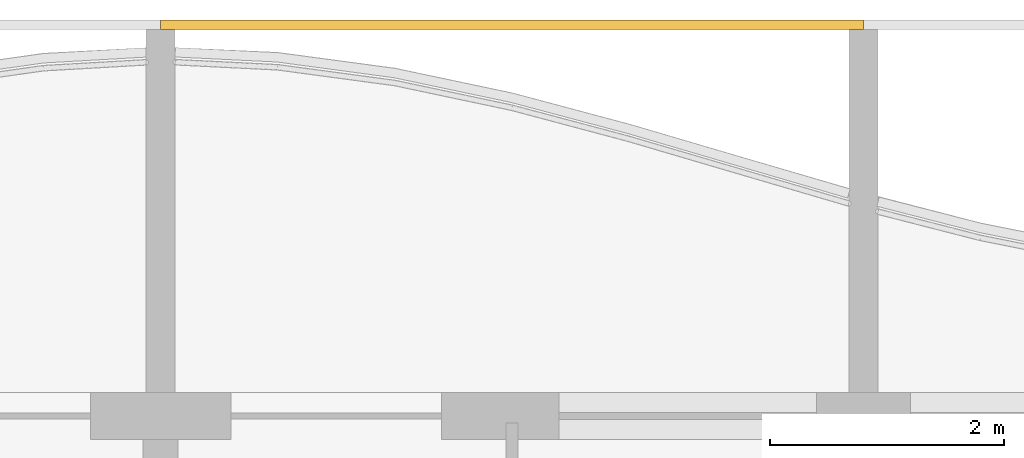
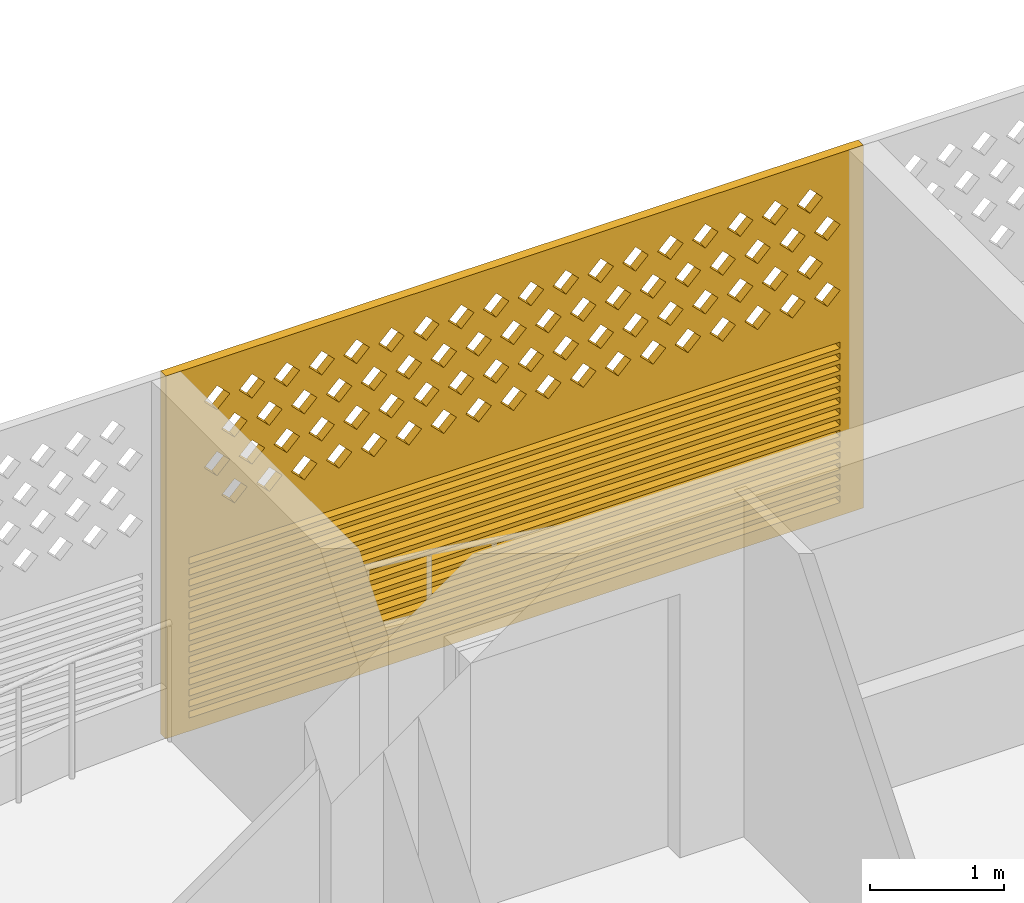
# One storey, part 29 of 31: 1 covering.
"""IFC4 building model written with IfcOpenShell, lengths in metres."""

import ifcopenshell
import ifcopenshell.guid

model = None  # the IFC model being written
_history = None  # IfcOwnerHistory: only IFC2X3 demands one
_inside = {}  # id of a spatial element -> (the spatial element, [elements in it])
_under = {}  # id of a project, library or spatial element -> (it, [spatial elements below it])
_declared = {}  # id of a project -> (the project, [libraries it declares])
_typed = {}  # id of a type object -> (the type object, [elements of that type])
_made_of = {}  # id of a material, layer set ... -> (it, [elements and type objects made of it])


def new_model(schema):
    """Start an empty IFC model of exactly this schema.

    Asked for "IFC4X3", IfcOpenShell would pick the latest addendum, in which some entities
    have other attributes; the version numbers below select the first issue.
    IFC2X3 requires an IfcOwnerHistory on every rooted entity: one is made here for all.
    """
    global model, _history
    if schema == "IFC4X3":
        model = ifcopenshell.file(schema_version=(4, 3, 0, 0))
    else:
        model = ifcopenshell.file(schema=schema)
    _inside.clear()
    _under.clear()
    _declared.clear()
    _typed.clear()
    _made_of.clear()
    _history = None
    if model.schema == "IFC2X3":
        org = make("IfcOrganization", Name="unknown")
        user = make(
            "IfcPersonAndOrganization",
            ThePerson=make("IfcPerson", FamilyName="unknown"),
            TheOrganization=org,
        )
        app = make(
            "IfcApplication",
            ApplicationDeveloper=org,
            Version="unknown",
            ApplicationFullName="unknown",
            ApplicationIdentifier="unknown",
        )
        _history = make(
            "IfcOwnerHistory",
            OwningUser=user,
            OwningApplication=app,
            ChangeAction="ADDED",
            CreationDate=0,
        )
    return model


def make(cls, **values):
    """One entity of the class cls with the attributes given. An attribute that is None is left unset."""
    return model.create_entity(
        cls, **{name: value for name, value in values.items() if value is not None}
    )


def rooted(cls, **values):
    """An entity with a GlobalId (a new one), such as an element, a storey or a relation."""
    return make(cls, GlobalId=ifcopenshell.guid.new(), OwnerHistory=_history, **values)


def si_unit(unit_type, name, prefix=None):
    """IfcSIUnit, for example si_unit("LENGTHUNIT", "METRE", prefix="MILLI")."""
    return make("IfcSIUnit", UnitType=unit_type, Prefix=prefix, Name=name)


def assignment(units):
    """IfcUnitAssignment: the units of a project."""
    return None if units is None else make("IfcUnitAssignment", Units=units)


def point(xyz):
    """IfcCartesianPoint."""
    return None if xyz is None else make("IfcCartesianPoint", Coordinates=xyz)


def direction(xyz):
    """IfcDirection."""
    return None if xyz is None else make("IfcDirection", DirectionRatios=xyz)


def frame(location, z_axis=None, x_axis=None):
    """IfcAxis2Placement3D, a coordinate frame: its origin and axes. An axis left out is left unset."""
    return make(
        "IfcAxis2Placement3D",
        Location=point(location),
        Axis=direction(z_axis),
        RefDirection=direction(x_axis),
    )


def origin():
    """The frame at (0, 0, 0) with its axes left unset."""
    return frame((0.0, 0.0, 0.0))


def place(relative_to, where):
    """IfcLocalPlacement: puts the frame where relative to a parent placement (None: the world)."""
    return make(
        "IfcLocalPlacement", PlacementRelTo=relative_to, RelativePlacement=where
    )


def context(
    kind, dimensions, precision=None, world=None, true_north=None, identifier=None
):
    """IfcGeometricRepresentationContext, for example the 3D "Model" context."""
    return make(
        "IfcGeometricRepresentationContext",
        ContextIdentifier=identifier,
        ContextType=kind,
        CoordinateSpaceDimension=dimensions,
        Precision=precision,
        WorldCoordinateSystem=world,
        TrueNorth=true_north,
    )


def subcontext(parent, identifier, kind, view, scale=None):
    """IfcGeometricRepresentationSubContext, for example "Body" below "Model"."""
    return make(
        "IfcGeometricRepresentationSubContext",
        ContextIdentifier=identifier,
        ContextType=kind,
        ParentContext=parent,
        TargetScale=scale,
        TargetView=view,
    )


def project(units=None, contexts=None):
    """IfcProject with its units and contexts."""
    return rooted(
        "IfcProject",
        Name="project",
        RepresentationContexts=contexts,
        UnitsInContext=assignment(units),
    )


def spatial(cls, under=None, at=None, **own):
    """A site, building, storey or space (cls), placed at a placement, below another one or the project."""
    s = rooted(cls, ObjectPlacement=at, **own)
    if under is not None:
        _under.setdefault(under.id(), (under, []))[1].append(s)
    return s


def polyline(points):
    """IfcPolyline through the points."""
    return make("IfcPolyline", Points=[point(p) for p in points])


def outline(outer, holes=None, kind="AREA"):
    """IfcArbitraryClosedProfileDef: a profile drawn as a closed curve; with holes, ...WithVoids."""
    if holes is None:
        return make("IfcArbitraryClosedProfileDef", ProfileType=kind, OuterCurve=outer)
    return make(
        "IfcArbitraryProfileDefWithVoids",
        ProfileType=kind,
        OuterCurve=outer,
        InnerCurves=holes,
    )


def extrude(swept, where, along, depth):
    """IfcExtrudedAreaSolid: the profile swept, set in the frame where, extruded along a direction by depth."""
    return make(
        "IfcExtrudedAreaSolid",
        SweptArea=swept,
        Position=where,
        ExtrudedDirection=direction(along),
        Depth=depth,
    )


def shape(context_of_items, identifier, shape_type, items):
    """IfcShapeRepresentation: the items that make up one representation, for example the "Body"."""
    return make(
        "IfcShapeRepresentation",
        ContextOfItems=context_of_items,
        RepresentationIdentifier=identifier,
        RepresentationType=shape_type,
        Items=items,
    )


def source(mapping_origin, context_of_items, identifier, shape_type, items):
    """IfcRepresentationMap: a shape defined once, which mapped items show again and again."""
    return make(
        "IfcRepresentationMap",
        MappingOrigin=mapping_origin,
        MappedRepresentation=shape(context_of_items, identifier, shape_type, items),
    )


def transform(
    local_origin,
    x_axis=None,
    y_axis=None,
    z_axis=None,
    scale=None,
    scale2=None,
    scale3=None,
    uniform=True,
):
    """IfcCartesianTransformationOperator3D, or its non-uniform kind. x_axis, y_axis, z_axis: its Axis1, 2, 3."""
    if uniform:
        return make(
            "IfcCartesianTransformationOperator3D",
            Axis1=direction(x_axis),
            Axis2=direction(y_axis),
            LocalOrigin=point(local_origin),
            Scale=scale,
            Axis3=direction(z_axis),
        )
    return make(
        "IfcCartesianTransformationOperator3DnonUniform",
        Axis1=direction(x_axis),
        Axis2=direction(y_axis),
        LocalOrigin=point(local_origin),
        Scale=scale,
        Axis3=direction(z_axis),
        Scale2=scale2,
        Scale3=scale3,
    )


def mapped(mapping_source, mapping_target):
    """IfcMappedItem: shows the shape of a source again, moved by a transform."""
    return make(
        "IfcMappedItem", MappingSource=mapping_source, MappingTarget=mapping_target
    )


def material(Name=None, Category=None):
    """IfcMaterial."""
    return make("IfcMaterial", Name=Name, Category=Category)


def material_profile(
    of_material, cross_section, Name=None, Category=None, Priority=None
):
    """IfcMaterialProfile: a cross section and its material."""
    return make(
        "IfcMaterialProfile",
        Name=Name,
        Material=of_material,
        Profile=cross_section,
        Priority=Priority,
        Category=Category,
    )


def profile_set(profiles, Name=None, composite=None):
    """IfcMaterialProfileSet."""
    return make(
        "IfcMaterialProfileSet",
        Name=Name,
        MaterialProfiles=profiles,
        CompositeProfile=composite,
    )


def made_of(thing, what):
    """Note that an element or type object is made of a material, layer set ...; save() writes the relation."""
    if what is not None:
        _made_of.setdefault(what.id(), (what, []))[1].append(thing)
    return thing


def type_object(cls, material=None, **own):
    """A type object (cls), such as IfcWallType, which elements share."""
    return made_of(rooted(cls, **own), material)


def element(
    cls,
    number,
    at=None,
    inside=None,
    cuts=None,
    type_object=None,
    material=None,
    context=None,
    identifier="Body",
    shape_type=None,
    held_by="IfcProductDefinitionShape",
    body=None,
    shapes=None,
    **own,
):
    """One element of the class cls, such as IfcWall. Its Tag is "e" and its number.

    at: its placement. inside: the storey or other place that contains it. cuts: it is an
    opening in that element (IfcRelVoidsElement). A single representation is given by context,
    identifier, shape_type and body (its items); several are given by shapes. held_by: the class
    of the entity that holds the representations. save() writes the other relations.
    """
    e = rooted(cls, Tag="e%d" % number, ObjectPlacement=at, **own)
    if body is not None:
        shapes = [shape(context, identifier, shape_type, body)]
    if shapes is not None:
        e.Representation = make(held_by, Representations=shapes)
    if inside is not None:
        _inside.setdefault(inside.id(), (inside, []))[1].append(e)
    if cuts is not None:
        rooted(
            "IfcRelVoidsElement", RelatingBuildingElement=cuts, RelatedOpeningElement=e
        )
    if type_object is not None:
        _typed.setdefault(type_object.id(), (type_object, []))[1].append(e)
    return made_of(e, material)


def aggregate(whole, parts):
    """IfcRelAggregates: a whole, such as a stair, and the parts it consists of."""
    return rooted("IfcRelAggregates", RelatingObject=whole, RelatedObjects=parts)


def save(model, path):
    """Write the relations noted so far, then the file.

    IfcRelAggregates (storeys below a building ...), IfcRelContainedInSpatialStructure (elements
    in a storey), IfcRelDefinesByType, IfcRelAssociatesMaterial and IfcRelDeclares: one each for
    every whole, place, type object, material and project.
    """
    for whole, parts in _under.values():
        aggregate(whole, parts)
    for where, things in _inside.values():
        rooted(
            "IfcRelContainedInSpatialStructure",
            RelatedElements=things,
            RelatingStructure=where,
        )
    for kind, things in _typed.values():
        rooted("IfcRelDefinesByType", RelatedObjects=things, RelatingType=kind)
    for what, things in _made_of.values():
        rooted("IfcRelAssociatesMaterial", RelatedObjects=things, RelatingMaterial=what)
    for by, libraries in _declared.values():
        rooted("IfcRelDeclares", RelatingContext=by, RelatedDefinitions=libraries)
    model.write(path)


model = new_model("IFC4")

# Units and contexts
model_context = context("Model", 3, precision=1e-05, world=origin(), true_north=direction((0.0, 1.0)))
body_context = subcontext(model_context, "Body", "Model", "MODEL_VIEW")
ifc_project = project(units=[si_unit("LENGTHUNIT", "METRE"), si_unit("AREAUNIT", "SQUARE_METRE"), si_unit("VOLUMEUNIT", "CUBIC_METRE"), si_unit("PLANEANGLEUNIT", "RADIAN"), si_unit("MASSUNIT", "GRAM", prefix="KILO")], contexts=[model_context])

# Site, building, storey
site_placement = place(None, origin())
site = spatial("IfcSite", under=ifc_project, at=site_placement, CompositionType="ELEMENT")
building_placement = place(site_placement, origin())
building = spatial("IfcBuilding", under=site, at=building_placement, Name="Poui Terraces", CompositionType="ELEMENT")
storey_placement = place(building_placement, frame((0.0, 0.0, 148.800048828125)))
storey = spatial("IfcBuildingStorey", under=building, at=storey_placement, Name="L41", CompositionType="ELEMENT", Elevation=148.800048828125)

# Covering
ifc_material = material(Name="Terracotta screen", Category="masonry")
ifc_material_profile = material_profile(ifc_material, outline(polyline([(-3.0, -1.64990234375), (3.0, -1.64990234375), (3.0, 1.64990234375), (-3.0, 1.64990234375), (-3.0, -1.64990234375)]), holes=[polyline([(-2.800048828125, 0.39990234375), (-2.68994140625, 0.2900390625), (-2.580078125, 0.39990234375), (-2.68994140625, 0.510009765625), (-2.800048828125, 0.39990234375)]), polyline([(-2.5, 0.39990234375), (-2.389892578125, 0.2900390625), (-2.280029296875, 0.39990234375), (-2.389892578125, 0.510009765625), (-2.5, 0.39990234375)]), polyline([(-2.199951171875, 0.39990234375), (-2.090087890625, 0.2900390625), (-1.97998046875, 0.39990234375), (-2.090087890625, 0.510009765625), (-2.199951171875, 0.39990234375)]), polyline([(-1.89990234375, 0.39990234375), (-1.7900390625, 0.2900390625), (-1.679931640625, 0.39990234375), (-1.7900390625, 0.510009765625), (-1.89990234375, 0.39990234375)]), polyline([(-1.60009765625, 0.39990234375), (-1.489990234375, 0.2900390625), (-1.3798828125, 0.39990234375), (-1.489990234375, 0.510009765625), (-1.60009765625, 0.39990234375)]), polyline([(-1.300048828125, 0.39990234375), (-1.18994140625, 0.2900390625), (-1.080078125, 0.39990234375), (-1.18994140625, 0.510009765625), (-1.300048828125, 0.39990234375)]), polyline([(-1.0, 0.39990234375), (-0.889892578125, 0.2900390625), (-0.780029296875, 0.39990234375), (-0.889892578125, 0.510009765625), (-1.0, 0.39990234375)]), polyline([(-0.699951171875, 0.39990234375), (-0.590087890625, 0.2900390625), (-0.47998046875, 0.39990234375), (-0.590087890625, 0.510009765625), (-0.699951171875, 0.39990234375)]), polyline([(-0.39990234375, 0.39990234375), (-0.2900390625, 0.2900390625), (-0.179931640625, 0.39990234375), (-0.2900390625, 0.510009765625), (-0.39990234375, 0.39990234375)]), polyline([(-0.10009765625, 0.39990234375), (0.010009765625, 0.2900390625), (0.1201171875, 0.39990234375), (0.010009765625, 0.510009765625), (-0.10009765625, 0.39990234375)]), polyline([(0.199951171875, 0.39990234375), (0.31005859375, 0.2900390625), (0.419921875, 0.39990234375), (0.31005859375, 0.510009765625), (0.199951171875, 0.39990234375)]), polyline([(0.5, 0.39990234375), (0.610107421875, 0.2900390625), (0.719970703125, 0.39990234375), (0.610107421875, 0.510009765625), (0.5, 0.39990234375)]), polyline([(0.800048828125, 0.39990234375), (0.909912109375, 0.2900390625), (1.02001953125, 0.39990234375), (0.909912109375, 0.510009765625), (0.800048828125, 0.39990234375)]), polyline([(1.10009765625, 0.39990234375), (1.2099609375, 0.2900390625), (1.320068359375, 0.39990234375), (1.2099609375, 0.510009765625), (1.10009765625, 0.39990234375)]), polyline([(1.39990234375, 0.39990234375), (1.510009765625, 0.2900390625), (1.6201171875, 0.39990234375), (1.510009765625, 0.510009765625), (1.39990234375, 0.39990234375)]), polyline([(1.699951171875, 0.39990234375), (1.81005859375, 0.2900390625), (1.919921875, 0.39990234375), (1.81005859375, 0.510009765625), (1.699951171875, 0.39990234375)]), polyline([(2.0, 0.39990234375), (2.110107421875, 0.2900390625), (2.219970703125, 0.39990234375), (2.110107421875, 0.510009765625), (2.0, 0.39990234375)]), polyline([(2.300048828125, 0.39990234375), (2.409912109375, 0.2900390625), (2.52001953125, 0.39990234375), (2.409912109375, 0.510009765625), (2.300048828125, 0.39990234375)]), polyline([(-2.64990234375, 0.699951171875), (-2.5400390625, 0.590087890625), (-2.429931640625, 0.699951171875), (-2.5400390625, 0.81005859375), (-2.64990234375, 0.699951171875)]), polyline([(-2.35009765625, 0.699951171875), (-2.239990234375, 0.590087890625), (-2.1298828125, 0.699951171875), (-2.239990234375, 0.81005859375), (-2.35009765625, 0.699951171875)]), polyline([(-2.050048828125, 0.699951171875), (-1.93994140625, 0.590087890625), (-1.830078125, 0.699951171875), (-1.93994140625, 0.81005859375), (-2.050048828125, 0.699951171875)]), polyline([(-1.75, 0.699951171875), (-1.639892578125, 0.590087890625), (-1.530029296875, 0.699951171875), (-1.639892578125, 0.81005859375), (-1.75, 0.699951171875)]), polyline([(-1.449951171875, 0.699951171875), (-1.340087890625, 0.590087890625), (-1.22998046875, 0.699951171875), (-1.340087890625, 0.81005859375), (-1.449951171875, 0.699951171875)]), polyline([(-1.14990234375, 0.699951171875), (-1.0400390625, 0.590087890625), (-0.929931640625, 0.699951171875), (-1.0400390625, 0.81005859375), (-1.14990234375, 0.699951171875)]), polyline([(-0.85009765625, 0.699951171875), (-0.739990234375, 0.590087890625), (-0.6298828125, 0.699951171875), (-0.739990234375, 0.81005859375), (-0.85009765625, 0.699951171875)]), polyline([(-0.550048828125, 0.699951171875), (-0.43994140625, 0.590087890625), (-0.330078125, 0.699951171875), (-0.43994140625, 0.81005859375), (-0.550048828125, 0.699951171875)]), polyline([(-0.25, 0.699951171875), (-0.139892578125, 0.590087890625), (-0.030029296875, 0.699951171875), (-0.139892578125, 0.81005859375), (-0.25, 0.699951171875)]), polyline([(0.050048828125, 0.699951171875), (0.159912109375, 0.590087890625), (0.27001953125, 0.699951171875), (0.159912109375, 0.81005859375), (0.050048828125, 0.699951171875)]), polyline([(0.35009765625, 0.699951171875), (0.4599609375, 0.590087890625), (0.570068359375, 0.699951171875), (0.4599609375, 0.81005859375), (0.35009765625, 0.699951171875)]), polyline([(0.64990234375, 0.699951171875), (0.760009765625, 0.590087890625), (0.8701171875, 0.699951171875), (0.760009765625, 0.81005859375), (0.64990234375, 0.699951171875)]), polyline([(0.949951171875, 0.699951171875), (1.06005859375, 0.590087890625), (1.169921875, 0.699951171875), (1.06005859375, 0.81005859375), (0.949951171875, 0.699951171875)]), polyline([(1.25, 0.699951171875), (1.360107421875, 0.590087890625), (1.469970703125, 0.699951171875), (1.360107421875, 0.81005859375), (1.25, 0.699951171875)]), polyline([(1.550048828125, 0.699951171875), (1.659912109375, 0.590087890625), (1.77001953125, 0.699951171875), (1.659912109375, 0.81005859375), (1.550048828125, 0.699951171875)]), polyline([(1.85009765625, 0.699951171875), (1.9599609375, 0.590087890625), (2.070068359375, 0.699951171875), (1.9599609375, 0.81005859375), (1.85009765625, 0.699951171875)]), polyline([(2.14990234375, 0.699951171875), (2.260009765625, 0.590087890625), (2.3701171875, 0.699951171875), (2.260009765625, 0.81005859375), (2.14990234375, 0.699951171875)]), polyline([(2.449951171875, 0.699951171875), (2.56005859375, 0.590087890625), (2.669921875, 0.699951171875), (2.56005859375, 0.81005859375), (2.449951171875, 0.699951171875)]), polyline([(-2.800048828125, 1.0), (-2.68994140625, 0.889892578125), (-2.580078125, 1.0), (-2.68994140625, 1.110107421875), (-2.800048828125, 1.0)]), polyline([(-2.5, 1.0), (-2.389892578125, 0.889892578125), (-2.280029296875, 1.0), (-2.389892578125, 1.110107421875), (-2.5, 1.0)]), polyline([(-2.199951171875, 1.0), (-2.090087890625, 0.889892578125), (-1.97998046875, 1.0), (-2.090087890625, 1.110107421875), (-2.199951171875, 1.0)]), polyline([(-1.89990234375, 1.0), (-1.7900390625, 0.889892578125), (-1.679931640625, 1.0), (-1.7900390625, 1.110107421875), (-1.89990234375, 1.0)]), polyline([(-1.60009765625, 1.0), (-1.489990234375, 0.889892578125), (-1.3798828125, 1.0), (-1.489990234375, 1.110107421875), (-1.60009765625, 1.0)]), polyline([(-1.300048828125, 1.0), (-1.18994140625, 0.889892578125), (-1.080078125, 1.0), (-1.18994140625, 1.110107421875), (-1.300048828125, 1.0)]), polyline([(-1.0, 1.0), (-0.889892578125, 0.889892578125), (-0.780029296875, 1.0), (-0.889892578125, 1.110107421875), (-1.0, 1.0)]), polyline([(-0.699951171875, 1.0), (-0.590087890625, 0.889892578125), (-0.47998046875, 1.0), (-0.590087890625, 1.110107421875), (-0.699951171875, 1.0)]), polyline([(-0.39990234375, 1.0), (-0.2900390625, 0.889892578125), (-0.179931640625, 1.0), (-0.2900390625, 1.110107421875), (-0.39990234375, 1.0)]), polyline([(-0.10009765625, 1.0), (0.010009765625, 0.889892578125), (0.1201171875, 1.0), (0.010009765625, 1.110107421875), (-0.10009765625, 1.0)]), polyline([(0.199951171875, 1.0), (0.31005859375, 0.889892578125), (0.419921875, 1.0), (0.31005859375, 1.110107421875), (0.199951171875, 1.0)]), polyline([(0.5, 1.0), (0.610107421875, 0.889892578125), (0.719970703125, 1.0), (0.610107421875, 1.110107421875), (0.5, 1.0)]), polyline([(0.800048828125, 1.0), (0.909912109375, 0.889892578125), (1.02001953125, 1.0), (0.909912109375, 1.110107421875), (0.800048828125, 1.0)]), polyline([(1.10009765625, 1.0), (1.2099609375, 0.889892578125), (1.320068359375, 1.0), (1.2099609375, 1.110107421875), (1.10009765625, 1.0)]), polyline([(1.39990234375, 1.0), (1.510009765625, 0.889892578125), (1.6201171875, 1.0), (1.510009765625, 1.110107421875), (1.39990234375, 1.0)]), polyline([(1.699951171875, 1.0), (1.81005859375, 0.889892578125), (1.919921875, 1.0), (1.81005859375, 1.110107421875), (1.699951171875, 1.0)]), polyline([(2.0, 1.0), (2.110107421875, 0.889892578125), (2.219970703125, 1.0), (2.110107421875, 1.110107421875), (2.0, 1.0)]), polyline([(2.300048828125, 1.0), (2.409912109375, 0.889892578125), (2.52001953125, 1.0), (2.409912109375, 1.110107421875), (2.300048828125, 1.0)]), polyline([(-2.64990234375, 1.300048828125), (-2.5400390625, 1.18994140625), (-2.429931640625, 1.300048828125), (-2.5400390625, 1.409912109375), (-2.64990234375, 1.300048828125)]), polyline([(-2.35009765625, 1.300048828125), (-2.239990234375, 1.18994140625), (-2.1298828125, 1.300048828125), (-2.239990234375, 1.409912109375), (-2.35009765625, 1.300048828125)]), polyline([(-2.050048828125, 1.300048828125), (-1.93994140625, 1.18994140625), (-1.830078125, 1.300048828125), (-1.93994140625, 1.409912109375), (-2.050048828125, 1.300048828125)]), polyline([(-1.75, 1.300048828125), (-1.639892578125, 1.18994140625), (-1.530029296875, 1.300048828125), (-1.639892578125, 1.409912109375), (-1.75, 1.300048828125)]), polyline([(-1.449951171875, 1.300048828125), (-1.340087890625, 1.18994140625), (-1.22998046875, 1.300048828125), (-1.340087890625, 1.409912109375), (-1.449951171875, 1.300048828125)]), polyline([(-1.14990234375, 1.300048828125), (-1.0400390625, 1.18994140625), (-0.929931640625, 1.300048828125), (-1.0400390625, 1.409912109375), (-1.14990234375, 1.300048828125)]), polyline([(-0.85009765625, 1.300048828125), (-0.739990234375, 1.18994140625), (-0.6298828125, 1.300048828125), (-0.739990234375, 1.409912109375), (-0.85009765625, 1.300048828125)]), polyline([(-0.550048828125, 1.300048828125), (-0.43994140625, 1.18994140625), (-0.330078125, 1.300048828125), (-0.43994140625, 1.409912109375), (-0.550048828125, 1.300048828125)]), polyline([(-0.25, 1.300048828125), (-0.139892578125, 1.18994140625), (-0.030029296875, 1.300048828125), (-0.139892578125, 1.409912109375), (-0.25, 1.300048828125)]), polyline([(0.050048828125, 1.300048828125), (0.159912109375, 1.18994140625), (0.27001953125, 1.300048828125), (0.159912109375, 1.409912109375), (0.050048828125, 1.300048828125)]), polyline([(0.35009765625, 1.300048828125), (0.4599609375, 1.18994140625), (0.570068359375, 1.300048828125), (0.4599609375, 1.409912109375), (0.35009765625, 1.300048828125)]), polyline([(0.64990234375, 1.300048828125), (0.760009765625, 1.18994140625), (0.8701171875, 1.300048828125), (0.760009765625, 1.409912109375), (0.64990234375, 1.300048828125)]), polyline([(0.949951171875, 1.300048828125), (1.06005859375, 1.18994140625), (1.169921875, 1.300048828125), (1.06005859375, 1.409912109375), (0.949951171875, 1.300048828125)]), polyline([(1.25, 1.300048828125), (1.360107421875, 1.18994140625), (1.469970703125, 1.300048828125), (1.360107421875, 1.409912109375), (1.25, 1.300048828125)]), polyline([(1.550048828125, 1.300048828125), (1.659912109375, 1.18994140625), (1.77001953125, 1.300048828125), (1.659912109375, 1.409912109375), (1.550048828125, 1.300048828125)]), polyline([(1.85009765625, 1.300048828125), (1.9599609375, 1.18994140625), (2.070068359375, 1.300048828125), (1.9599609375, 1.409912109375), (1.85009765625, 1.300048828125)]), polyline([(2.14990234375, 1.300048828125), (2.260009765625, 1.18994140625), (2.3701171875, 1.300048828125), (2.260009765625, 1.409912109375), (2.14990234375, 1.300048828125)]), polyline([(2.449951171875, 1.300048828125), (2.56005859375, 1.18994140625), (2.669921875, 1.300048828125), (2.56005859375, 1.409912109375), (2.449951171875, 1.300048828125)]), polyline([(-2.800048828125, -1.530029296875), (2.800048828125, -1.530029296875), (2.800048828125, -1.469970703125), (-2.800048828125, -1.469970703125), (-2.800048828125, -1.530029296875)]), polyline([(-2.800048828125, -1.429931640625), (2.800048828125, -1.429931640625), (2.800048828125, -1.3701171875), (-2.800048828125, -1.3701171875), (-2.800048828125, -1.429931640625)]), polyline([(-2.800048828125, -1.330078125), (2.800048828125, -1.330078125), (2.800048828125, -1.27001953125), (-2.800048828125, -1.27001953125), (-2.800048828125, -1.330078125)]), polyline([(-2.800048828125, -1.22998046875), (2.800048828125, -1.22998046875), (2.800048828125, -1.169921875), (-2.800048828125, -1.169921875), (-2.800048828125, -1.22998046875)]), polyline([(-2.800048828125, -1.1298828125), (2.800048828125, -1.1298828125), (2.800048828125, -1.070068359375), (-2.800048828125, -1.070068359375), (-2.800048828125, -1.1298828125)]), polyline([(-2.800048828125, -1.030029296875), (2.800048828125, -1.030029296875), (2.800048828125, -0.969970703125), (-2.800048828125, -0.969970703125), (-2.800048828125, -1.030029296875)]), polyline([(-2.800048828125, -0.929931640625), (2.800048828125, -0.929931640625), (2.800048828125, -0.8701171875), (-2.800048828125, -0.8701171875), (-2.800048828125, -0.929931640625)]), polyline([(-2.800048828125, -0.830078125), (2.800048828125, -0.830078125), (2.800048828125, -0.77001953125), (-2.800048828125, -0.77001953125), (-2.800048828125, -0.830078125)]), polyline([(-2.800048828125, -0.72998046875), (2.800048828125, -0.72998046875), (2.800048828125, -0.669921875), (-2.800048828125, -0.669921875), (-2.800048828125, -0.72998046875)]), polyline([(-2.800048828125, -0.6298828125), (2.800048828125, -0.6298828125), (2.800048828125, -0.570068359375), (-2.800048828125, -0.570068359375), (-2.800048828125, -0.6298828125)]), polyline([(-2.800048828125, -0.530029296875), (2.800048828125, -0.530029296875), (2.800048828125, -0.469970703125), (-2.800048828125, -0.469970703125), (-2.800048828125, -0.530029296875)]), polyline([(-2.800048828125, -0.429931640625), (2.800048828125, -0.429931640625), (2.800048828125, -0.3701171875), (-2.800048828125, -0.3701171875), (-2.800048828125, -0.429931640625)]), polyline([(-2.800048828125, -0.330078125), (2.800048828125, -0.330078125), (2.800048828125, -0.27001953125), (-2.800048828125, -0.27001953125), (-2.800048828125, -0.330078125)]), polyline([(-2.800048828125, -0.22998046875), (2.800048828125, -0.22998046875), (2.800048828125, -0.169921875), (-2.800048828125, -0.169921875), (-2.800048828125, -0.22998046875)]), polyline([(-2.800048828125, -0.1298828125), (2.800048828125, -0.1298828125), (2.800048828125, -0.070068359375), (-2.800048828125, -0.070068359375), (-2.800048828125, -0.1298828125)])]), Name="TERRACOTTA SCREEN AND JALOUSIE LOUVRE 6000X3300")
ifc_profile_set = profile_set([ifc_material_profile], Name="Terracotta screen")
covering_type = type_object("IfcCoveringType", Name="TERRACOTTA SCREEN AND JALOUSIE LOUVRE 6000X3300", PredefinedType="CLADDING", material=ifc_profile_set)
shared_shape = source(origin(), body_context, "Body", "SweptSolid", [
    extrude(outline(polyline([(-3.0, -1.64990234375), (3.0, -1.64990234375), (3.0, 1.64990234375), (-3.0, 1.64990234375), (-3.0, -1.64990234375)]), holes=[polyline([(-2.800048828125, 0.39990234375), (-2.68994140625, 0.2900390625), (-2.580078125, 0.39990234375), (-2.68994140625, 0.510009765625), (-2.800048828125, 0.39990234375)]), polyline([(-2.5, 0.39990234375), (-2.389892578125, 0.2900390625), (-2.280029296875, 0.39990234375), (-2.389892578125, 0.510009765625), (-2.5, 0.39990234375)]), polyline([(-2.199951171875, 0.39990234375), (-2.090087890625, 0.2900390625), (-1.97998046875, 0.39990234375), (-2.090087890625, 0.510009765625), (-2.199951171875, 0.39990234375)]), polyline([(-1.89990234375, 0.39990234375), (-1.7900390625, 0.2900390625), (-1.679931640625, 0.39990234375), (-1.7900390625, 0.510009765625), (-1.89990234375, 0.39990234375)]), polyline([(-1.60009765625, 0.39990234375), (-1.489990234375, 0.2900390625), (-1.3798828125, 0.39990234375), (-1.489990234375, 0.510009765625), (-1.60009765625, 0.39990234375)]), polyline([(-1.300048828125, 0.39990234375), (-1.18994140625, 0.2900390625), (-1.080078125, 0.39990234375), (-1.18994140625, 0.510009765625), (-1.300048828125, 0.39990234375)]), polyline([(-1.0, 0.39990234375), (-0.889892578125, 0.2900390625), (-0.780029296875, 0.39990234375), (-0.889892578125, 0.510009765625), (-1.0, 0.39990234375)]), polyline([(-0.699951171875, 0.39990234375), (-0.590087890625, 0.2900390625), (-0.47998046875, 0.39990234375), (-0.590087890625, 0.510009765625), (-0.699951171875, 0.39990234375)]), polyline([(-0.39990234375, 0.39990234375), (-0.2900390625, 0.2900390625), (-0.179931640625, 0.39990234375), (-0.2900390625, 0.510009765625), (-0.39990234375, 0.39990234375)]), polyline([(-0.10009765625, 0.39990234375), (0.010009765625, 0.2900390625), (0.1201171875, 0.39990234375), (0.010009765625, 0.510009765625), (-0.10009765625, 0.39990234375)]), polyline([(0.199951171875, 0.39990234375), (0.31005859375, 0.2900390625), (0.419921875, 0.39990234375), (0.31005859375, 0.510009765625), (0.199951171875, 0.39990234375)]), polyline([(0.5, 0.39990234375), (0.610107421875, 0.2900390625), (0.719970703125, 0.39990234375), (0.610107421875, 0.510009765625), (0.5, 0.39990234375)]), polyline([(0.800048828125, 0.39990234375), (0.909912109375, 0.2900390625), (1.02001953125, 0.39990234375), (0.909912109375, 0.510009765625), (0.800048828125, 0.39990234375)]), polyline([(1.10009765625, 0.39990234375), (1.2099609375, 0.2900390625), (1.320068359375, 0.39990234375), (1.2099609375, 0.510009765625), (1.10009765625, 0.39990234375)]), polyline([(1.39990234375, 0.39990234375), (1.510009765625, 0.2900390625), (1.6201171875, 0.39990234375), (1.510009765625, 0.510009765625), (1.39990234375, 0.39990234375)]), polyline([(1.699951171875, 0.39990234375), (1.81005859375, 0.2900390625), (1.919921875, 0.39990234375), (1.81005859375, 0.510009765625), (1.699951171875, 0.39990234375)]), polyline([(2.0, 0.39990234375), (2.110107421875, 0.2900390625), (2.219970703125, 0.39990234375), (2.110107421875, 0.510009765625), (2.0, 0.39990234375)]), polyline([(2.300048828125, 0.39990234375), (2.409912109375, 0.2900390625), (2.52001953125, 0.39990234375), (2.409912109375, 0.510009765625), (2.300048828125, 0.39990234375)]), polyline([(-2.64990234375, 0.699951171875), (-2.5400390625, 0.590087890625), (-2.429931640625, 0.699951171875), (-2.5400390625, 0.81005859375), (-2.64990234375, 0.699951171875)]), polyline([(-2.35009765625, 0.699951171875), (-2.239990234375, 0.590087890625), (-2.1298828125, 0.699951171875), (-2.239990234375, 0.81005859375), (-2.35009765625, 0.699951171875)]), polyline([(-2.050048828125, 0.699951171875), (-1.93994140625, 0.590087890625), (-1.830078125, 0.699951171875), (-1.93994140625, 0.81005859375), (-2.050048828125, 0.699951171875)]), polyline([(-1.75, 0.699951171875), (-1.639892578125, 0.590087890625), (-1.530029296875, 0.699951171875), (-1.639892578125, 0.81005859375), (-1.75, 0.699951171875)]), polyline([(-1.449951171875, 0.699951171875), (-1.340087890625, 0.590087890625), (-1.22998046875, 0.699951171875), (-1.340087890625, 0.81005859375), (-1.449951171875, 0.699951171875)]), polyline([(-1.14990234375, 0.699951171875), (-1.0400390625, 0.590087890625), (-0.929931640625, 0.699951171875), (-1.0400390625, 0.81005859375), (-1.14990234375, 0.699951171875)]), polyline([(-0.85009765625, 0.699951171875), (-0.739990234375, 0.590087890625), (-0.6298828125, 0.699951171875), (-0.739990234375, 0.81005859375), (-0.85009765625, 0.699951171875)]), polyline([(-0.550048828125, 0.699951171875), (-0.43994140625, 0.590087890625), (-0.330078125, 0.699951171875), (-0.43994140625, 0.81005859375), (-0.550048828125, 0.699951171875)]), polyline([(-0.25, 0.699951171875), (-0.139892578125, 0.590087890625), (-0.030029296875, 0.699951171875), (-0.139892578125, 0.81005859375), (-0.25, 0.699951171875)]), polyline([(0.050048828125, 0.699951171875), (0.159912109375, 0.590087890625), (0.27001953125, 0.699951171875), (0.159912109375, 0.81005859375), (0.050048828125, 0.699951171875)]), polyline([(0.35009765625, 0.699951171875), (0.4599609375, 0.590087890625), (0.570068359375, 0.699951171875), (0.4599609375, 0.81005859375), (0.35009765625, 0.699951171875)]), polyline([(0.64990234375, 0.699951171875), (0.760009765625, 0.590087890625), (0.8701171875, 0.699951171875), (0.760009765625, 0.81005859375), (0.64990234375, 0.699951171875)]), polyline([(0.949951171875, 0.699951171875), (1.06005859375, 0.590087890625), (1.169921875, 0.699951171875), (1.06005859375, 0.81005859375), (0.949951171875, 0.699951171875)]), polyline([(1.25, 0.699951171875), (1.360107421875, 0.590087890625), (1.469970703125, 0.699951171875), (1.360107421875, 0.81005859375), (1.25, 0.699951171875)]), polyline([(1.550048828125, 0.699951171875), (1.659912109375, 0.590087890625), (1.77001953125, 0.699951171875), (1.659912109375, 0.81005859375), (1.550048828125, 0.699951171875)]), polyline([(1.85009765625, 0.699951171875), (1.9599609375, 0.590087890625), (2.070068359375, 0.699951171875), (1.9599609375, 0.81005859375), (1.85009765625, 0.699951171875)]), polyline([(2.14990234375, 0.699951171875), (2.260009765625, 0.590087890625), (2.3701171875, 0.699951171875), (2.260009765625, 0.81005859375), (2.14990234375, 0.699951171875)]), polyline([(2.449951171875, 0.699951171875), (2.56005859375, 0.590087890625), (2.669921875, 0.699951171875), (2.56005859375, 0.81005859375), (2.449951171875, 0.699951171875)]), polyline([(-2.800048828125, 1.0), (-2.68994140625, 0.889892578125), (-2.580078125, 1.0), (-2.68994140625, 1.110107421875), (-2.800048828125, 1.0)]), polyline([(-2.5, 1.0), (-2.389892578125, 0.889892578125), (-2.280029296875, 1.0), (-2.389892578125, 1.110107421875), (-2.5, 1.0)]), polyline([(-2.199951171875, 1.0), (-2.090087890625, 0.889892578125), (-1.97998046875, 1.0), (-2.090087890625, 1.110107421875), (-2.199951171875, 1.0)]), polyline([(-1.89990234375, 1.0), (-1.7900390625, 0.889892578125), (-1.679931640625, 1.0), (-1.7900390625, 1.110107421875), (-1.89990234375, 1.0)]), polyline([(-1.60009765625, 1.0), (-1.489990234375, 0.889892578125), (-1.3798828125, 1.0), (-1.489990234375, 1.110107421875), (-1.60009765625, 1.0)]), polyline([(-1.300048828125, 1.0), (-1.18994140625, 0.889892578125), (-1.080078125, 1.0), (-1.18994140625, 1.110107421875), (-1.300048828125, 1.0)]), polyline([(-1.0, 1.0), (-0.889892578125, 0.889892578125), (-0.780029296875, 1.0), (-0.889892578125, 1.110107421875), (-1.0, 1.0)]), polyline([(-0.699951171875, 1.0), (-0.590087890625, 0.889892578125), (-0.47998046875, 1.0), (-0.590087890625, 1.110107421875), (-0.699951171875, 1.0)]), polyline([(-0.39990234375, 1.0), (-0.2900390625, 0.889892578125), (-0.179931640625, 1.0), (-0.2900390625, 1.110107421875), (-0.39990234375, 1.0)]), polyline([(-0.10009765625, 1.0), (0.010009765625, 0.889892578125), (0.1201171875, 1.0), (0.010009765625, 1.110107421875), (-0.10009765625, 1.0)]), polyline([(0.199951171875, 1.0), (0.31005859375, 0.889892578125), (0.419921875, 1.0), (0.31005859375, 1.110107421875), (0.199951171875, 1.0)]), polyline([(0.5, 1.0), (0.610107421875, 0.889892578125), (0.719970703125, 1.0), (0.610107421875, 1.110107421875), (0.5, 1.0)]), polyline([(0.800048828125, 1.0), (0.909912109375, 0.889892578125), (1.02001953125, 1.0), (0.909912109375, 1.110107421875), (0.800048828125, 1.0)]), polyline([(1.10009765625, 1.0), (1.2099609375, 0.889892578125), (1.320068359375, 1.0), (1.2099609375, 1.110107421875), (1.10009765625, 1.0)]), polyline([(1.39990234375, 1.0), (1.510009765625, 0.889892578125), (1.6201171875, 1.0), (1.510009765625, 1.110107421875), (1.39990234375, 1.0)]), polyline([(1.699951171875, 1.0), (1.81005859375, 0.889892578125), (1.919921875, 1.0), (1.81005859375, 1.110107421875), (1.699951171875, 1.0)]), polyline([(2.0, 1.0), (2.110107421875, 0.889892578125), (2.219970703125, 1.0), (2.110107421875, 1.110107421875), (2.0, 1.0)]), polyline([(2.300048828125, 1.0), (2.409912109375, 0.889892578125), (2.52001953125, 1.0), (2.409912109375, 1.110107421875), (2.300048828125, 1.0)]), polyline([(-2.64990234375, 1.300048828125), (-2.5400390625, 1.18994140625), (-2.429931640625, 1.300048828125), (-2.5400390625, 1.409912109375), (-2.64990234375, 1.300048828125)]), polyline([(-2.35009765625, 1.300048828125), (-2.239990234375, 1.18994140625), (-2.1298828125, 1.300048828125), (-2.239990234375, 1.409912109375), (-2.35009765625, 1.300048828125)]), polyline([(-2.050048828125, 1.300048828125), (-1.93994140625, 1.18994140625), (-1.830078125, 1.300048828125), (-1.93994140625, 1.409912109375), (-2.050048828125, 1.300048828125)]), polyline([(-1.75, 1.300048828125), (-1.639892578125, 1.18994140625), (-1.530029296875, 1.300048828125), (-1.639892578125, 1.409912109375), (-1.75, 1.300048828125)]), polyline([(-1.449951171875, 1.300048828125), (-1.340087890625, 1.18994140625), (-1.22998046875, 1.300048828125), (-1.340087890625, 1.409912109375), (-1.449951171875, 1.300048828125)]), polyline([(-1.14990234375, 1.300048828125), (-1.0400390625, 1.18994140625), (-0.929931640625, 1.300048828125), (-1.0400390625, 1.409912109375), (-1.14990234375, 1.300048828125)]), polyline([(-0.85009765625, 1.300048828125), (-0.739990234375, 1.18994140625), (-0.6298828125, 1.300048828125), (-0.739990234375, 1.409912109375), (-0.85009765625, 1.300048828125)]), polyline([(-0.550048828125, 1.300048828125), (-0.43994140625, 1.18994140625), (-0.330078125, 1.300048828125), (-0.43994140625, 1.409912109375), (-0.550048828125, 1.300048828125)]), polyline([(-0.25, 1.300048828125), (-0.139892578125, 1.18994140625), (-0.030029296875, 1.300048828125), (-0.139892578125, 1.409912109375), (-0.25, 1.300048828125)]), polyline([(0.050048828125, 1.300048828125), (0.159912109375, 1.18994140625), (0.27001953125, 1.300048828125), (0.159912109375, 1.409912109375), (0.050048828125, 1.300048828125)]), polyline([(0.35009765625, 1.300048828125), (0.4599609375, 1.18994140625), (0.570068359375, 1.300048828125), (0.4599609375, 1.409912109375), (0.35009765625, 1.300048828125)]), polyline([(0.64990234375, 1.300048828125), (0.760009765625, 1.18994140625), (0.8701171875, 1.300048828125), (0.760009765625, 1.409912109375), (0.64990234375, 1.300048828125)]), polyline([(0.949951171875, 1.300048828125), (1.06005859375, 1.18994140625), (1.169921875, 1.300048828125), (1.06005859375, 1.409912109375), (0.949951171875, 1.300048828125)]), polyline([(1.25, 1.300048828125), (1.360107421875, 1.18994140625), (1.469970703125, 1.300048828125), (1.360107421875, 1.409912109375), (1.25, 1.300048828125)]), polyline([(1.550048828125, 1.300048828125), (1.659912109375, 1.18994140625), (1.77001953125, 1.300048828125), (1.659912109375, 1.409912109375), (1.550048828125, 1.300048828125)]), polyline([(1.85009765625, 1.300048828125), (1.9599609375, 1.18994140625), (2.070068359375, 1.300048828125), (1.9599609375, 1.409912109375), (1.85009765625, 1.300048828125)]), polyline([(2.14990234375, 1.300048828125), (2.260009765625, 1.18994140625), (2.3701171875, 1.300048828125), (2.260009765625, 1.409912109375), (2.14990234375, 1.300048828125)]), polyline([(2.449951171875, 1.300048828125), (2.56005859375, 1.18994140625), (2.669921875, 1.300048828125), (2.56005859375, 1.409912109375), (2.449951171875, 1.300048828125)]), polyline([(-2.800048828125, -1.530029296875), (2.800048828125, -1.530029296875), (2.800048828125, -1.469970703125), (-2.800048828125, -1.469970703125), (-2.800048828125, -1.530029296875)]), polyline([(-2.800048828125, -1.429931640625), (2.800048828125, -1.429931640625), (2.800048828125, -1.3701171875), (-2.800048828125, -1.3701171875), (-2.800048828125, -1.429931640625)]), polyline([(-2.800048828125, -1.330078125), (2.800048828125, -1.330078125), (2.800048828125, -1.27001953125), (-2.800048828125, -1.27001953125), (-2.800048828125, -1.330078125)]), polyline([(-2.800048828125, -1.22998046875), (2.800048828125, -1.22998046875), (2.800048828125, -1.169921875), (-2.800048828125, -1.169921875), (-2.800048828125, -1.22998046875)]), polyline([(-2.800048828125, -1.1298828125), (2.800048828125, -1.1298828125), (2.800048828125, -1.070068359375), (-2.800048828125, -1.070068359375), (-2.800048828125, -1.1298828125)]), polyline([(-2.800048828125, -1.030029296875), (2.800048828125, -1.030029296875), (2.800048828125, -0.969970703125), (-2.800048828125, -0.969970703125), (-2.800048828125, -1.030029296875)]), polyline([(-2.800048828125, -0.929931640625), (2.800048828125, -0.929931640625), (2.800048828125, -0.8701171875), (-2.800048828125, -0.8701171875), (-2.800048828125, -0.929931640625)]), polyline([(-2.800048828125, -0.830078125), (2.800048828125, -0.830078125), (2.800048828125, -0.77001953125), (-2.800048828125, -0.77001953125), (-2.800048828125, -0.830078125)]), polyline([(-2.800048828125, -0.72998046875), (2.800048828125, -0.72998046875), (2.800048828125, -0.669921875), (-2.800048828125, -0.669921875), (-2.800048828125, -0.72998046875)]), polyline([(-2.800048828125, -0.6298828125), (2.800048828125, -0.6298828125), (2.800048828125, -0.570068359375), (-2.800048828125, -0.570068359375), (-2.800048828125, -0.6298828125)]), polyline([(-2.800048828125, -0.530029296875), (2.800048828125, -0.530029296875), (2.800048828125, -0.469970703125), (-2.800048828125, -0.469970703125), (-2.800048828125, -0.530029296875)]), polyline([(-2.800048828125, -0.429931640625), (2.800048828125, -0.429931640625), (2.800048828125, -0.3701171875), (-2.800048828125, -0.3701171875), (-2.800048828125, -0.429931640625)]), polyline([(-2.800048828125, -0.330078125), (2.800048828125, -0.330078125), (2.800048828125, -0.27001953125), (-2.800048828125, -0.27001953125), (-2.800048828125, -0.330078125)]), polyline([(-2.800048828125, -0.22998046875), (2.800048828125, -0.22998046875), (2.800048828125, -0.169921875), (-2.800048828125, -0.169921875), (-2.800048828125, -0.22998046875)]), polyline([(-2.800048828125, -0.1298828125), (2.800048828125, -0.1298828125), (2.800048828125, -0.070068359375), (-2.800048828125, -0.070068359375), (-2.800048828125, -0.1298828125)])]), origin(), (0.0, 0.0, 1.0), 0.080078125),
])
covering_placement = place(storey_placement, frame((75.0, 45.699951171875, 1.449951171875), z_axis=(0.0, 1.0, 0.0), x_axis=(-1.0, 0.0, 0.0)))
element("IfcCovering", 1, at=covering_placement, inside=storey, type_object=covering_type, Name="SOLAR SCREEN AND JALOUSIE LOUVRE", PredefinedType="CLADDING", context=body_context, shape_type="MappedRepresentation", body=[
    mapped(shared_shape, transform((0.0, 0.0, 0.0))),
])

save(model, "model.ifc")
